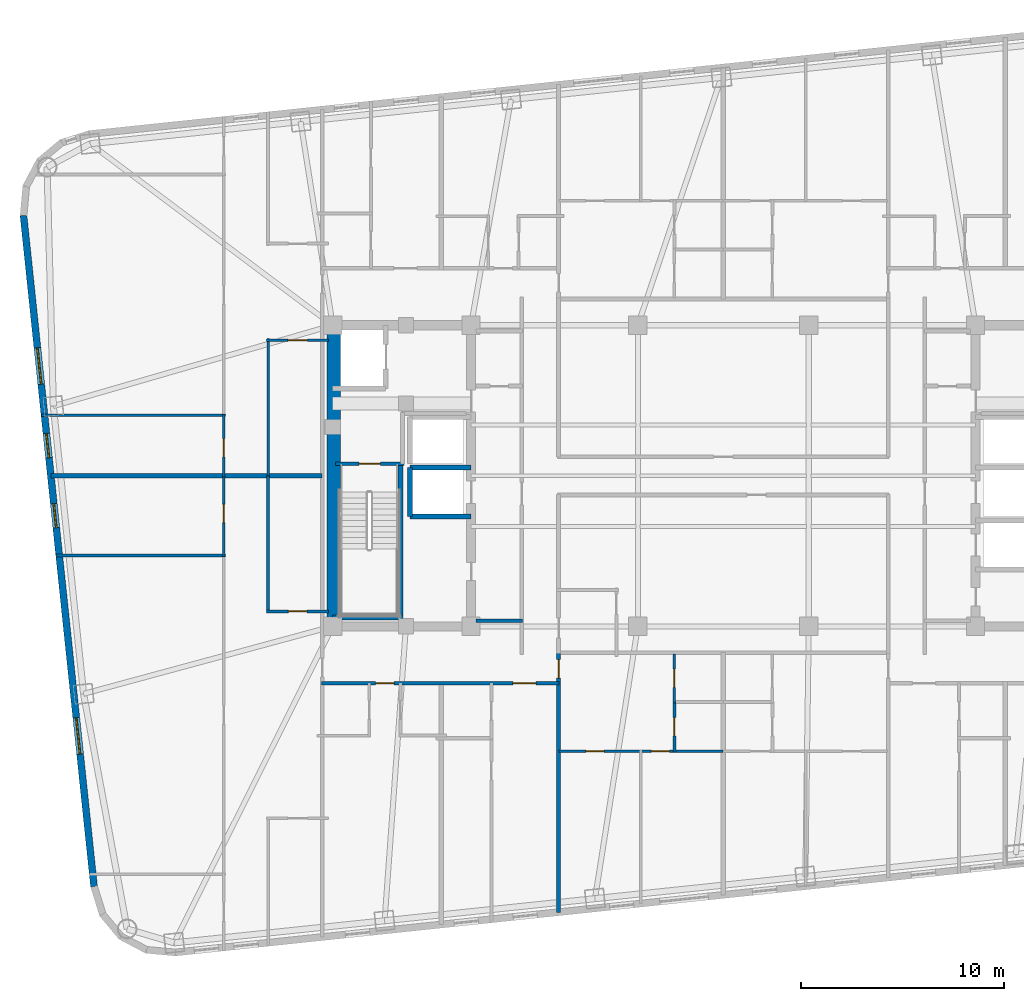
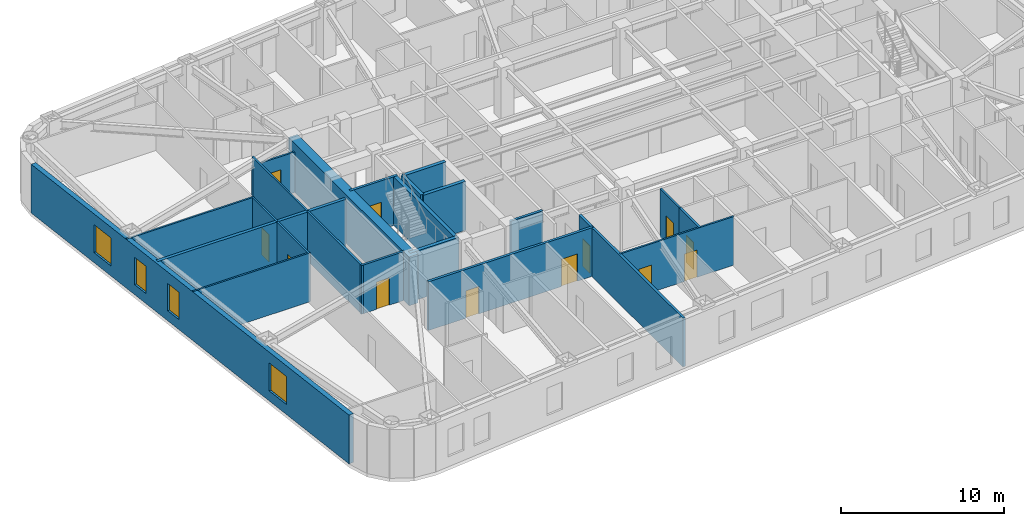
# One storey, part 3 of 12: 23 walls, 12 doors, 4 windows, 16 openings.
"""IFC4 building model written with IfcOpenShell, lengths in metres."""

from ifc_helpers import new_model, si_unit, direction, frame, frame_2d, origin, place, context, subcontext, project, spatial, rectangle, extrude, material, layer, layer_set, type_object, element, fill, save


model = new_model("IFC4")

# Units and contexts
model_context = context("Model", 3, precision=1e-05, world=origin(), true_north=direction((0.0, 1.0)))
body_context = subcontext(model_context, "Body", "Model", "MODEL_VIEW")
ifc_project = project(units=[si_unit("LENGTHUNIT", "METRE"), si_unit("AREAUNIT", "SQUARE_METRE"), si_unit("VOLUMEUNIT", "CUBIC_METRE"), si_unit("PLANEANGLEUNIT", "RADIAN"), si_unit("MASSUNIT", "GRAM", prefix="KILO")], contexts=[model_context])

# Site, building, storey
site_placement = place(None, origin())
site = spatial("IfcSite", under=ifc_project, at=site_placement, CompositionType="ELEMENT")
building_placement = place(site_placement, origin())
building = spatial("IfcBuilding", under=site, at=building_placement, Name="Voryun Gate Residences", CompositionType="ELEMENT")
storey_placement = place(building_placement, frame((0.0, 0.0, 187.199951171875)))
storey = spatial("IfcBuildingStorey", under=building, at=storey_placement, Name="L46", CompositionType="ELEMENT", Elevation=187.199951171875)

# Wall
ifc_material_1 = material(Name="Concrete C60/75", Category="concrete")
ifc_layer_1 = layer(ifc_material_1, 0.64990234375, Name="CW_CORE_650")
ifc_layer_set_1 = layer_set([ifc_layer_1], Name="Concrete C60/75")
wall_type_1 = type_object("IfcWallType", Name="CW_CORE_650", PredefinedType="SHEAR", material=ifc_layer_set_1)
wall_1_placement = place(storey_placement, frame((-19.14501953125, -7.39990234375, 0.0), z_axis=(0.0, 0.0, 1.0), x_axis=(0.0, 1.0, 0.0)))
element("IfcWall", 1, at=wall_1_placement, inside=storey, type_object=wall_type_1, Name="L46 Core shear wall CW-L46-WW", PredefinedType="SHEAR", context=body_context, shape_type="SweptSolid", body=[
    extrude(rectangle(XDim=14.7998046875, YDim=0.64990234375, at=frame_2d((7.39990234375, 0.0))), origin(), (0.0, 0.0, 1.0), 3.650146484375),
])

# Wall, opening, door
ifc_material_2 = material(Name="Gypsum acoustic fireboard")
ifc_layer_2 = layer(ifc_material_2, 0.179931640625, Name="W_CORR_RATED_180")
ifc_layer_set_2 = layer_set([ifc_layer_2], Name="Gypsum acoustic fireboard")
wall_type_2 = type_object("IfcWallType", Name="W_CORR_RATED_180", PredefinedType="PARTITIONING", material=ifc_layer_set_2)
wall_2_placement = place(storey_placement, frame((-19.06005859375, 0.60009765625, 0.0), z_axis=(0.0, 0.0, 1.0), x_axis=(1.0, 0.0, 0.0)))
wall_2 = element("IfcWall", 2, at=wall_2_placement, inside=storey, type_object=wall_type_2, Name="Partition wall WP-L46-STV-W", PredefinedType="PARTITIONING", context=body_context, shape_type="SweptSolid", body=[
    extrude(rectangle(XDim=3.360107421875, YDim=0.179931640625, at=frame_2d((1.68017578125, 0.0))), origin(), (0.0, 0.0, 1.0), 3.650146484375),
])
opening_1_placement = place(wall_2_placement, frame((1.155029296875, 0.0, 0.0)))
opening_1 = element("IfcOpeningElement", 3, at=opening_1_placement, cuts=wall_2, Name="Opening D-FD60-1", PredefinedType="OPENING", context=body_context, shape_type="SweptSolid", body=[
    extrude(rectangle(XDim=1.050048828125, YDim=2.050048828125, at=frame_2d((0.52490234375, 1.02490234375))), frame((0.0, 0.099853515625, 0.0), z_axis=(0.0, -1.0, 0.0), x_axis=(1.0, 0.0, 0.0)), (0.0, 0.0, 1.0), 0.199951171875),
])
ifc_material_3 = material(Name="Painted steel fire door", Category="steel")
door_type_1 = type_object("IfcDoorType", Name="DR_FD60_STAIR_1050", OperationType="NOTDEFINED", PredefinedType="DOOR", material=ifc_material_3)
door_1_placement = place(opening_1_placement, origin())
door_1 = element("IfcDoor", 4, at=door_1_placement, inside=storey, type_object=door_type_1, Name="Door DR-L46-ST-W", OperationType="SINGLE_SWING_LEFT", OverallHeight=2.050048828125, OverallWidth=1.050048828125, PredefinedType="DOOR", context=body_context, shape_type="SweptSolid", body=[
    extrude(rectangle(XDim=1.050048828125, YDim=2.050048828125, at=frame_2d((0.52490234375, 1.02490234375))), frame((0.0, 0.02490234375, 0.0), z_axis=(0.0, -1.0, 0.0), x_axis=(1.0, 0.0, 0.0)), (0.0, 0.0, 1.0), 0.050048828125),
])
fill(opening_1, door_1)

# Wall
wall_3_placement = place(storey_placement, frame((-12.14990234375, -7.1201171875, 0.0), z_axis=(0.0, 0.0, 1.0), x_axis=(1.0, 0.0, 0.0)))
element("IfcWall", 5, at=wall_3_placement, inside=storey, type_object=wall_type_2, Name="Partition wall WP-L46-PLBS-W", PredefinedType="PARTITIONING", context=body_context, shape_type="SweptSolid", body=[
    extrude(rectangle(XDim=2.27001953125, YDim=0.179931640625, at=frame_2d((1.135009765625, 0.0))), origin(), (0.0, 0.0, 1.0), 3.650146484375),
])

# Wall, openings, doors
wall_4_placement = place(storey_placement, frame((-19.75, -10.199951171875, 0.0), z_axis=(0.0, 0.0, 1.0), x_axis=(1.0, 0.0, 0.0)))
wall_4 = element("IfcWall", 6, at=wall_4_placement, inside=storey, type_object=wall_type_2, Name="Partition wall WP-L46-SCORR-W", PredefinedType="PARTITIONING", context=body_context, shape_type="SweptSolid", body=[
    extrude(rectangle(XDim=11.669921875, YDim=0.179931640625, at=frame_2d((5.8349609375, 0.0))), origin(), (0.0, 0.0, 1.0), 3.650146484375),
])
opening_2_placement = place(wall_4_placement, frame((2.66357421875, 0.0, 0.0)))
opening_2 = element("IfcOpeningElement", 7, at=opening_2_placement, cuts=wall_4, Name="Opening D-INT-2", PredefinedType="OPENING", context=body_context, shape_type="SweptSolid", body=[
    extrude(rectangle(XDim=0.89990234375, YDim=2.050048828125, at=frame_2d((0.449951171875, 1.02490234375))), frame((0.0, 0.099853515625, 0.0), z_axis=(0.0, -1.0, 0.0), x_axis=(1.0, 0.0, 0.0)), (0.0, 0.0, 1.0), 0.199951171875),
])
opening_3_placement = place(wall_4_placement, frame((9.404052734375, 0.0, 0.0)))
opening_3 = element("IfcOpeningElement", 8, at=opening_3_placement, cuts=wall_4, Name="Opening D-UNIT-1", PredefinedType="OPENING", context=body_context, shape_type="SweptSolid", body=[
    extrude(rectangle(XDim=1.14990234375, YDim=2.050048828125, at=frame_2d((0.574951171875, 1.02490234375))), frame((0.0, 0.099853515625, 0.0), z_axis=(0.0, -1.0, 0.0), x_axis=(1.0, 0.0, 0.0)), (0.0, 0.0, 1.0), 0.199951171875),
])
ifc_material_4 = material(Name="Architectural oak veneer")
door_type_2 = type_object("IfcDoorType", Name="DR_INT_BATH_900", OperationType="NOTDEFINED", PredefinedType="DOOR", material=ifc_material_4)
door_2_placement = place(opening_2_placement, origin())
door_2 = element("IfcDoor", 9, at=door_2_placement, inside=storey, type_object=door_type_2, Name="Door DR-L46-SENT-1", OperationType="SINGLE_SWING_RIGHT", OverallHeight=2.050048828125, OverallWidth=0.89990234375, PredefinedType="DOOR", context=body_context, shape_type="SweptSolid", body=[
    extrude(rectangle(XDim=0.89990234375, YDim=2.050048828125, at=frame_2d((0.449951171875, 1.02490234375))), frame((0.0, 0.02490234375, 0.0), z_axis=(0.0, -1.0, 0.0), x_axis=(1.0, 0.0, 0.0)), (0.0, 0.0, 1.0), 0.050048828125),
])
fill(opening_2, door_2)
ifc_material_5 = material(Name="Armoured timber-clad fire door", Category="wood")
door_type_3 = type_object("IfcDoorType", Name="DR_UNIT_ENTRY_1150", OperationType="NOTDEFINED", PredefinedType="DOOR", material=ifc_material_5)
door_3_placement = place(opening_3_placement, origin())
door_3 = element("IfcDoor", 10, at=door_3_placement, inside=storey, type_object=door_type_3, Name="Door DR-L46-SENT-2", OperationType="SINGLE_SWING_LEFT", OverallHeight=2.050048828125, OverallWidth=1.14990234375, PredefinedType="DOOR", context=body_context, shape_type="SweptSolid", body=[
    extrude(rectangle(XDim=1.14990234375, YDim=2.050048828125, at=frame_2d((0.574951171875, 1.02490234375))), frame((0.0, 0.02490234375, 0.0), z_axis=(0.0, -1.0, 0.0), x_axis=(1.0, 0.0, 0.0)), (0.0, 0.0, 1.0), 0.050048828125),
])
fill(opening_3, door_3)

# Wall, opening, door
wall_5_placement = place(storey_placement, frame((-8.10009765625, -21.456298828125, 0.0), z_axis=(0.0, 0.0, 1.0), x_axis=(0.0, 1.0, 0.0)))
wall_5 = element("IfcWall", 11, at=wall_5_placement, inside=storey, type_object=wall_type_2, Name="Partition wall WP-L46-SZV-1", PredefinedType="PARTITIONING", context=body_context, shape_type="SweptSolid", body=[
    extrude(rectangle(XDim=12.766357421875, YDim=0.179931640625, at=frame_2d((6.38330078125, 0.0))), origin(), (0.0, 0.0, 1.0), 3.650146484375),
])
opening_4_placement = place(wall_5_placement, frame((11.515869140625, 0.0, 0.0)))
opening_4 = element("IfcOpeningElement", 12, at=opening_4_placement, cuts=wall_5, Name="Opening D-INT-2", PredefinedType="OPENING", context=body_context, shape_type="SweptSolid", body=[
    extrude(rectangle(XDim=0.89990234375, YDim=2.050048828125, at=frame_2d((0.449951171875, 1.02490234375))), frame((0.0, 0.099853515625, 0.0), z_axis=(0.0, -1.0, 0.0), x_axis=(1.0, 0.0, 0.0)), (0.0, 0.0, 1.0), 0.199951171875),
])
door_4_placement = place(opening_4_placement, origin())
door_4 = element("IfcDoor", 13, at=door_4_placement, inside=storey, type_object=door_type_2, Name="Door DR-L46-SZENT-1", OperationType="SINGLE_SWING_LEFT", OverallHeight=2.050048828125, OverallWidth=0.89990234375, PredefinedType="DOOR", context=body_context, shape_type="SweptSolid", body=[
    extrude(rectangle(XDim=0.89990234375, YDim=2.050048828125, at=frame_2d((0.449951171875, 1.02490234375))), frame((0.0, 0.02490234375, 0.0), z_axis=(0.0, -1.0, 0.0), x_axis=(1.0, 0.0, 0.0)), (0.0, 0.0, 1.0), 0.050048828125),
])
fill(opening_4, door_4)

# Wall, openings, windows
ifc_material_6 = material(Name="Charcoal terracotta masonry", Category="masonry")
ifc_layer_3 = layer(ifc_material_6, 0.340087890625, Name="W_EXT_TERRACOTTA_340")
ifc_layer_set_3 = layer_set([ifc_layer_3], Name="Charcoal terracotta masonry")
wall_type_3 = type_object("IfcWallType", Name="W_EXT_TERRACOTTA_340", PredefinedType="ELEMENTEDWALL", material=ifc_layer_set_3)
wall_6_placement = place(storey_placement, frame((-30.934326171875, -20.189697265625, 0.0), z_axis=(0.0, 0.0, 1.0), x_axis=(-0.10452691388, 0.994522058214, 0.0)))
wall_6 = element("IfcWall", 14, at=wall_6_placement, inside=storey, type_object=wall_type_3, Name="Exterior wall WEXT-L46-06", PredefinedType="ELEMENTEDWALL", context=body_context, shape_type="SweptSolid", body=[
    extrude(rectangle(XDim=33.16650390625, YDim=0.340087890625, at=frame_2d((16.583251953125, 0.0))), origin(), (0.0, 0.0, 1.0), 3.650146484375),
])
opening_5_placement = place(wall_6_placement, frame((6.54150390625, 0.0, 0.75)))
opening_5 = element("IfcOpeningElement", 15, at=opening_5_placement, cuts=wall_6, Name="Opening WN1", PredefinedType="OPENING", context=body_context, shape_type="SweptSolid", body=[
    extrude(rectangle(XDim=1.800048828125, YDim=2.10009765625, at=frame_2d((0.89990234375, 1.050048828125))), frame((0.0, 0.179931640625, 0.0), z_axis=(0.0, -1.0, 0.0), x_axis=(1.0, 0.0, 0.0)), (0.0, 0.0, 1.0), 0.360107421875),
])
opening_6_placement = place(wall_6_placement, frame((24.824951171875, 0.0, 0.75)))
opening_6 = element("IfcOpeningElement", 16, at=opening_6_placement, cuts=wall_6, Name="Opening WN1", PredefinedType="OPENING", context=body_context, shape_type="SweptSolid", body=[
    extrude(rectangle(XDim=1.800048828125, YDim=2.10009765625, at=frame_2d((0.89990234375, 1.050048828125))), frame((0.0, 0.179931640625, 0.0), z_axis=(0.0, -1.0, 0.0), x_axis=(1.0, 0.0, 0.0)), (0.0, 0.0, 1.0), 0.360107421875),
])
opening_7_placement = place(wall_6_placement, frame((17.728759765625, 0.0, 0.75)))
opening_7 = element("IfcOpeningElement", 17, at=opening_7_placement, cuts=wall_6, Name="Opening WN6", PredefinedType="OPENING", context=body_context, shape_type="SweptSolid", body=[
    extrude(rectangle(XDim=1.199951171875, YDim=2.050048828125, at=frame_2d((0.60009765625, 1.02490234375))), frame((0.0, 0.179931640625, 0.0), z_axis=(0.0, -1.0, 0.0), x_axis=(1.0, 0.0, 0.0)), (0.0, 0.0, 1.0), 0.360107421875),
])
opening_8_placement = place(wall_6_placement, frame((21.194091796875, 0.0, 0.75)))
opening_8 = element("IfcOpeningElement", 18, at=opening_8_placement, cuts=wall_6, Name="Opening WN6", PredefinedType="OPENING", context=body_context, shape_type="SweptSolid", body=[
    extrude(rectangle(XDim=1.199951171875, YDim=2.050048828125, at=frame_2d((0.60009765625, 1.02490234375))), frame((0.0, 0.179931640625, 0.0), z_axis=(0.0, -1.0, 0.0), x_axis=(1.0, 0.0, 0.0)), (0.0, 0.0, 1.0), 0.360107421875),
])
ifc_material_7 = material(Name="Laminated low-E glass", Category="glass")
window_type_1 = type_object("IfcWindowType", Name="WN_POD_SLOT_1200", PartitioningType="SINGLE_PANEL", PredefinedType="WINDOW", material=ifc_material_7)
window_1_placement = place(opening_7_placement, origin())
window_1 = element("IfcWindow", 19, at=window_1_placement, inside=storey, type_object=window_type_1, Name="Window WN-L46-DWFIX-21", OverallHeight=2.050048828125, OverallWidth=1.199951171875, PartitioningType="SINGLE_PANEL", PredefinedType="WINDOW", context=body_context, shape_type="SweptSolid", body=[
    extrude(rectangle(XDim=1.199951171875, YDim=2.050048828125, at=frame_2d((0.60009765625, 1.02490234375))), frame((0.0, 0.030029296875, 0.0), z_axis=(0.0, -1.0, 0.0), x_axis=(1.0, 0.0, 0.0)), (0.0, 0.0, 1.0), 0.06005859375),
])
fill(opening_7, window_1)
window_2_placement = place(opening_8_placement, origin())
window_2 = element("IfcWindow", 20, at=window_2_placement, inside=storey, type_object=window_type_1, Name="Window WN-L46-DWFIX-25", OverallHeight=2.050048828125, OverallWidth=1.199951171875, PartitioningType="SINGLE_PANEL", PredefinedType="WINDOW", context=body_context, shape_type="SweptSolid", body=[
    extrude(rectangle(XDim=1.199951171875, YDim=2.050048828125, at=frame_2d((0.60009765625, 1.02490234375))), frame((0.0, 0.030029296875, 0.0), z_axis=(0.0, -1.0, 0.0), x_axis=(1.0, 0.0, 0.0)), (0.0, 0.0, 1.0), 0.06005859375),
])
fill(opening_8, window_2)
ifc_material_8 = material(Name="Laminated low-E glass", Category="glass")
window_type_2 = type_object("IfcWindowType", Name="WN_RES_PUNCH_1800", PartitioningType="SINGLE_PANEL", PredefinedType="WINDOW", material=ifc_material_8)
window_3_placement = place(opening_5_placement, origin())
window_3 = element("IfcWindow", 21, at=window_3_placement, inside=storey, type_object=window_type_2, Name="Window WN-WEXT-L46-06-01", OverallHeight=2.10009765625, OverallWidth=1.800048828125, PartitioningType="SINGLE_PANEL", PredefinedType="WINDOW", context=body_context, shape_type="SweptSolid", body=[
    extrude(rectangle(XDim=1.800048828125, YDim=2.10009765625, at=frame_2d((0.89990234375, 1.050048828125))), frame((0.0, 0.030029296875, 0.0), z_axis=(0.0, -1.0, 0.0), x_axis=(1.0, 0.0, 0.0)), (0.0, 0.0, 1.0), 0.06005859375),
])
fill(opening_5, window_3)
window_4_placement = place(opening_6_placement, origin())
window_4 = element("IfcWindow", 22, at=window_4_placement, inside=storey, type_object=window_type_2, Name="Window WN-WEXT-L46-06-02", OverallHeight=2.10009765625, OverallWidth=1.800048828125, PartitioningType="SINGLE_PANEL", PredefinedType="WINDOW", context=body_context, shape_type="SweptSolid", body=[
    extrude(rectangle(XDim=1.800048828125, YDim=2.10009765625, at=frame_2d((0.89990234375, 1.050048828125))), frame((0.0, 0.030029296875, 0.0), z_axis=(0.0, -1.0, 0.0), x_axis=(1.0, 0.0, 0.0)), (0.0, 0.0, 1.0), 0.06005859375),
])
fill(opening_6, window_4)

# Walls
ifc_material_9 = material(Name="Concrete C40/50", Category="concrete")
ifc_layer_4 = layer(ifc_material_9, 0.219970703125, Name="W_PARTY_ACOUSTIC_220")
ifc_layer_set_4 = layer_set([ifc_layer_4], Name="Concrete C40/50")
wall_type_4 = type_object("IfcWallType", Name="W_PARTY_ACOUSTIC_220", PredefinedType="PARTITIONING", material=ifc_layer_set_4)
wall_7_placement = place(storey_placement, frame((-19.719970703125, 0.0, 0.0), z_axis=(0.0, 0.0, 1.0), x_axis=(-1.0, 0.0, 0.0)))
element("IfcWall", 23, at=wall_7_placement, inside=storey, type_object=wall_type_4, Name="Partition wall WP-L46-WPTY", PredefinedType="PARTITIONING", context=body_context, shape_type="SweptSolid", body=[
    extrude(rectangle(XDim=13.33642578125, YDim=0.219970703125, at=frame_2d((6.668212890625, 0.0))), origin(), (0.0, 0.0, 1.0), 3.650146484375),
])
ifc_material_10 = material(Name="Concrete C50/60", Category="concrete")
ifc_layer_5 = layer(ifc_material_10, 0.25, Name="W_SHAFT_RC250")
ifc_layer_set_5 = layer_set([ifc_layer_5], Name="Concrete C50/60")
wall_type_5 = type_object("IfcWallType", Name="W_SHAFT_RC250", PredefinedType="SOLIDWALL", material=ifc_layer_set_5)
wall_8_placement = place(storey_placement, frame((-15.860107421875, -7.0849609375, 0.0), z_axis=(0.0, 0.0, 1.0), x_axis=(0.0, 1.0, 0.0)))
element("IfcWall", 24, at=wall_8_placement, inside=storey, type_object=wall_type_5, Name="L46 Stair shaft structural wall W-STR", PredefinedType="SOLIDWALL", context=body_context, shape_type="SweptSolid", body=[
    extrude(rectangle(XDim=7.68505859375, YDim=0.25, at=frame_2d((3.842529296875, 0.0))), origin(), (0.0, 0.0, 1.0), 3.650146484375),
])
wall_9_placement = place(storey_placement, frame((-19.199951171875, -6.965087890625, 0.0), z_axis=(0.0, 0.0, 1.0), x_axis=(1.0, 0.0, 0.0)))
element("IfcWall", 25, at=wall_9_placement, inside=storey, type_object=wall_type_5, Name="L46 Stair shaft structural wall W-STS", PredefinedType="SOLIDWALL", context=body_context, shape_type="SweptSolid", body=[
    extrude(rectangle(XDim=3.4599609375, YDim=0.25, at=frame_2d((1.72998046875, 0.0))), origin(), (0.0, 0.0, 1.0), 3.650146484375),
])
for number, where, z_axis, x_axis, name in (
    (26, (-15.39990234375, -2.0, 0.0), (0.0, 0.0, 1.0), (1.0, 0.0, 0.0), "Lift shaft wall WSH-L46-EL-P4-S"),
    (27, (-12.39990234375, 0.39990234375, 0.0), (0.0, 0.0, 1.0), (-1.0, 0.0, 0.0), "Lift shaft wall WSH-L46-EL-P4-N"),
):
    element("IfcWall", number, at=place(storey_placement, frame(where, z_axis=z_axis, x_axis=x_axis)), inside=storey, type_object=wall_type_5, Name=name, PredefinedType="SOLIDWALL", context=body_context, shape_type="SweptSolid", body=[
        extrude(rectangle(XDim=3.0, YDim=0.25, at=frame_2d((1.5, 0.0))), origin(), (0.0, 0.0, 1.0), 3.650146484375),
    ])
wall_10_placement = place(storey_placement, frame((-15.39990234375, 0.39990234375, 0.0), z_axis=(0.0, 0.0, 1.0), x_axis=(0.0, -1.0, 0.0)))
element("IfcWall", 28, at=wall_10_placement, inside=storey, type_object=wall_type_5, Name="Lift shaft wall WSH-L46-EL-P4-W", PredefinedType="SOLIDWALL", context=body_context, shape_type="SweptSolid", body=[
    extrude(rectangle(XDim=2.39990234375, YDim=0.25, at=frame_2d((1.199951171875, 0.0))), origin(), (0.0, 0.0, 1.0), 3.650146484375),
])

# Wall, openings, doors
ifc_material_11 = material(Name="Gypsum acoustic partition")
ifc_layer_6 = layer(ifc_material_11, 0.125, Name="W_UNIT_PART_125")
ifc_layer_set_6 = layer_set([ifc_layer_6], Name="Gypsum acoustic partition")
wall_type_6 = type_object("IfcWallType", Name="W_UNIT_PART_125", PredefinedType="PARTITIONING", material=ifc_layer_set_6)
wall_11_placement = place(storey_placement, frame((-8.080078125, -13.530029296875, 0.0), z_axis=(0.0, 0.0, 1.0), x_axis=(1.0, 0.0, 0.0)))
wall_11 = element("IfcWall", 29, at=wall_11_placement, inside=storey, type_object=wall_type_6, Name="Partition wall WP-L46-SC1-HZ", PredefinedType="PARTITIONING", context=body_context, shape_type="SweptSolid", body=[
    extrude(rectangle(XDim=8.06005859375, YDim=0.125, at=frame_2d((4.030029296875, 0.0))), origin(), (0.0, 0.0, 1.0), 3.650146484375),
])
opening_9_placement = place(wall_11_placement, frame((1.3232421875, 0.0, 0.0)))
opening_9 = element("IfcOpeningElement", 30, at=opening_9_placement, cuts=wall_11, Name="Opening D-INT-2", PredefinedType="OPENING", context=body_context, shape_type="SweptSolid", body=[
    extrude(rectangle(XDim=0.89990234375, YDim=2.050048828125, at=frame_2d((0.449951171875, 1.02490234375))), frame((0.0, 0.072509765625, 0.0), z_axis=(0.0, -1.0, 0.0), x_axis=(1.0, 0.0, 0.0)), (0.0, 0.0, 1.0), 0.14501953125),
])
opening_10_placement = place(wall_11_placement, frame((4.547119140625, 0.0, 0.0)))
opening_10 = element("IfcOpeningElement", 31, at=opening_10_placement, cuts=wall_11, Name="Opening D-INT-2", PredefinedType="OPENING", context=body_context, shape_type="SweptSolid", body=[
    extrude(rectangle(XDim=0.89990234375, YDim=2.050048828125, at=frame_2d((0.449951171875, 1.02490234375))), frame((0.0, 0.072509765625, 0.0), z_axis=(0.0, -1.0, 0.0), x_axis=(1.0, 0.0, 0.0)), (0.0, 0.0, 1.0), 0.14501953125),
])
door_5_placement = place(opening_9_placement, origin())
door_5 = element("IfcDoor", 32, at=door_5_placement, inside=storey, type_object=door_type_2, Name="Door DR-L46-SC1-DMB", OperationType="SINGLE_SWING_LEFT", OverallHeight=2.050048828125, OverallWidth=0.89990234375, PredefinedType="DOOR", context=body_context, shape_type="SweptSolid", body=[
    extrude(rectangle(XDim=0.89990234375, YDim=2.050048828125, at=frame_2d((0.449951171875, 1.02490234375))), frame((0.0, 0.02490234375, 0.0), z_axis=(0.0, -1.0, 0.0), x_axis=(1.0, 0.0, 0.0)), (0.0, 0.0, 1.0), 0.050048828125),
])
fill(opening_9, door_5)
door_6_placement = place(opening_10_placement, origin())
door_6 = element("IfcDoor", 33, at=door_6_placement, inside=storey, type_object=door_type_2, Name="Door DR-L46-SC1-DBD2", OperationType="SINGLE_SWING_RIGHT", OverallHeight=2.050048828125, OverallWidth=0.89990234375, PredefinedType="DOOR", context=body_context, shape_type="SweptSolid", body=[
    extrude(rectangle(XDim=0.89990234375, YDim=2.050048828125, at=frame_2d((0.449951171875, 1.02490234375))), frame((0.0, 0.02490234375, 0.0), z_axis=(0.0, -1.0, 0.0), x_axis=(1.0, 0.0, 0.0)), (0.0, 0.0, 1.0), 0.050048828125),
])
fill(opening_10, door_6)

# Wall, opening, door
wall_12_placement = place(storey_placement, frame((-2.409912109375, -11.159912109375, 0.0), z_axis=(0.0, 0.0, 1.0), x_axis=(0.0, 1.0, 0.0)))
wall_12 = element("IfcWall", 34, at=wall_12_placement, inside=storey, type_object=wall_type_6, Name="Partition wall WP-L46-SC1-VK1", PredefinedType="PARTITIONING", context=body_context, shape_type="SweptSolid", body=[
    extrude(rectangle(XDim=2.409912109375, YDim=0.125, at=frame_2d((1.205078125, 0.0))), origin(), (0.0, 0.0, 1.0), 3.650146484375),
])
opening_11_placement = place(wall_12_placement, frame((0.7548828125, 0.0, 0.0)))
opening_11 = element("IfcOpeningElement", 35, at=opening_11_placement, cuts=wall_12, Name="Opening D-INT-2", PredefinedType="OPENING", context=body_context, shape_type="SweptSolid", body=[
    extrude(rectangle(XDim=0.89990234375, YDim=2.050048828125, at=frame_2d((0.449951171875, 1.02490234375))), frame((0.0, 0.072509765625, 0.0), z_axis=(0.0, -1.0, 0.0), x_axis=(1.0, 0.0, 0.0)), (0.0, 0.0, 1.0), 0.14501953125),
])
door_7_placement = place(opening_11_placement, origin())
door_7 = element("IfcDoor", 36, at=door_7_placement, inside=storey, type_object=door_type_2, Name="Door DR-L46-SC1-DK", OperationType="SINGLE_SWING_LEFT", OverallHeight=2.050048828125, OverallWidth=0.89990234375, PredefinedType="DOOR", context=body_context, shape_type="SweptSolid", body=[
    extrude(rectangle(XDim=0.89990234375, YDim=2.050048828125, at=frame_2d((0.449951171875, 1.02490234375))), frame((0.0, 0.02490234375, 0.0), z_axis=(0.0, -1.0, 0.0), x_axis=(1.0, 0.0, 0.0)), (0.0, 0.0, 1.0), 0.050048828125),
])
fill(opening_11, door_7)

# Wall
wall_13_placement = place(storey_placement, frame((-32.79541015625, -3.91796875, 0.0), z_axis=(0.0, 0.0, 1.0), x_axis=(1.0, 0.0, 0.0)))
element("IfcWall", 37, at=wall_13_placement, inside=storey, type_object=wall_type_6, Name="Partition wall WP-L46-W1-OH2", PredefinedType="PARTITIONING", context=body_context, shape_type="SweptSolid", body=[
    extrude(rectangle(XDim=8.325439453125, YDim=0.125, at=frame_2d((4.16259765625, 0.0))), origin(), (0.0, 0.0, 1.0), 3.650146484375),
])

# Wall, opening, door
wall_14_placement = place(storey_placement, frame((-24.550048828125, -3.968017578125, 0.0), z_axis=(0.0, 0.0, 1.0), x_axis=(0.0, 1.0, 0.0)))
wall_14 = element("IfcWall", 38, at=wall_14_placement, inside=storey, type_object=wall_type_6, Name="Partition wall WP-L46-W1-OVX3", PredefinedType="PARTITIONING", context=body_context, shape_type="SweptSolid", body=[
    extrude(rectangle(XDim=4.030517578125, YDim=0.125, at=frame_2d((2.01513671875, 0.0))), origin(), (0.0, 0.0, 1.0), 3.650146484375),
])
opening_12_placement = place(wall_14_placement, frame((1.6640625, 0.0, 0.0)))
opening_12 = element("IfcOpeningElement", 39, at=opening_12_placement, cuts=wall_14, Name="Opening D-INT-2", PredefinedType="OPENING", context=body_context, shape_type="SweptSolid", body=[
    extrude(rectangle(XDim=0.89990234375, YDim=2.050048828125, at=frame_2d((0.449951171875, 1.02490234375))), frame((0.0, 0.072509765625, 0.0), z_axis=(0.0, -1.0, 0.0), x_axis=(1.0, 0.0, 0.0)), (0.0, 0.0, 1.0), 0.14501953125),
])
door_8_placement = place(opening_12_placement, origin())
door_8 = element("IfcDoor", 40, at=door_8_placement, inside=storey, type_object=door_type_2, Name="Door DR-L46-W1-DMB", OperationType="SINGLE_SWING_LEFT", OverallHeight=2.050048828125, OverallWidth=0.89990234375, PredefinedType="DOOR", context=body_context, shape_type="SweptSolid", body=[
    extrude(rectangle(XDim=0.89990234375, YDim=2.050048828125, at=frame_2d((0.449951171875, 1.02490234375))), frame((0.0, 0.02490234375, 0.0), z_axis=(0.0, -1.0, 0.0), x_axis=(1.0, 0.0, 0.0)), (0.0, 0.0, 1.0), 0.050048828125),
])
fill(opening_12, door_8)

# Wall
wall_15_placement = place(storey_placement, frame((-33.519775390625, 2.97509765625, 0.0), z_axis=(0.0, 0.0, 1.0), x_axis=(1.0, 0.0, 0.0)))
element("IfcWall", 41, at=wall_15_placement, inside=storey, type_object=wall_type_6, Name="Partition wall WP-L46-W2-OH1", PredefinedType="PARTITIONING", context=body_context, shape_type="SweptSolid", body=[
    extrude(rectangle(XDim=9.0498046875, YDim=0.125, at=frame_2d((4.52490234375, 0.0))), origin(), (0.0, 0.0, 1.0), 3.650146484375),
])

# Wall, opening, door
wall_16_placement = place(storey_placement, frame((-24.550048828125, -0.0625, 0.0), z_axis=(0.0, 0.0, 1.0), x_axis=(0.0, 1.0, 0.0)))
wall_16 = element("IfcWall", 42, at=wall_16_placement, inside=storey, type_object=wall_type_6, Name="Partition wall WP-L46-W2-OVX1", PredefinedType="PARTITIONING", context=body_context, shape_type="SweptSolid", body=[
    extrude(rectangle(XDim=3.08740234375, YDim=0.125, at=frame_2d((1.543701171875, 0.0))), origin(), (0.0, 0.0, 1.0), 3.650146484375),
])
opening_13_placement = place(wall_16_placement, frame((0.9951171875, 0.0, 0.0)))
opening_13 = element("IfcOpeningElement", 43, at=opening_13_placement, cuts=wall_16, Name="Opening D-INT-2", PredefinedType="OPENING", context=body_context, shape_type="SweptSolid", body=[
    extrude(rectangle(XDim=0.89990234375, YDim=2.050048828125, at=frame_2d((0.449951171875, 1.02490234375))), frame((0.0, 0.072509765625, 0.0), z_axis=(0.0, -1.0, 0.0), x_axis=(1.0, 0.0, 0.0)), (0.0, 0.0, 1.0), 0.14501953125),
])
door_9_placement = place(opening_13_placement, origin())
door_9 = element("IfcDoor", 44, at=door_9_placement, inside=storey, type_object=door_type_2, Name="Door DR-L46-W2-DBD2", OperationType="SINGLE_SWING_LEFT", OverallHeight=2.050048828125, OverallWidth=0.89990234375, PredefinedType="DOOR", context=body_context, shape_type="SweptSolid", body=[
    extrude(rectangle(XDim=0.89990234375, YDim=2.050048828125, at=frame_2d((0.449951171875, 1.02490234375))), frame((0.0, 0.02490234375, 0.0), z_axis=(0.0, -1.0, 0.0), x_axis=(1.0, 0.0, 0.0)), (0.0, 0.0, 1.0), 0.050048828125),
])
fill(opening_13, door_9)

wall_17_placement = place(storey_placement, frame((-22.449951171875, 6.659912109375, 0.0), z_axis=(0.0, 0.0, 1.0), x_axis=(1.0, 0.0, 0.0)))
wall_17 = element("IfcWall", 45, at=wall_17_placement, inside=storey, type_object=wall_type_6, Name="Partition wall WP-L46-W2-IKA", PredefinedType="PARTITIONING", context=body_context, shape_type="SweptSolid", body=[
    extrude(rectangle(XDim=3.050048828125, YDim=0.125, at=frame_2d((1.52490234375, 0.0))), origin(), (0.0, 0.0, 1.0), 3.0400390625),
])
opening_14_placement = place(wall_17_placement, frame((1.050048828125, 0.0, 0.0)))
opening_14 = element("IfcOpeningElement", 46, at=opening_14_placement, cuts=wall_17, Name="Opening D-INT-1", PredefinedType="OPENING", context=body_context, shape_type="SweptSolid", body=[
    extrude(rectangle(XDim=0.949951171875, YDim=2.050048828125, at=frame_2d((0.47509765625, 1.02490234375))), frame((0.0, 0.072509765625, 0.0), z_axis=(0.0, -1.0, 0.0), x_axis=(1.0, 0.0, 0.0)), (0.0, 0.0, 1.0), 0.14501953125),
])
ifc_material_12 = material(Name="Architectural oak veneer")
door_type_4 = type_object("IfcDoorType", Name="DR_INT_ROOM_950", OperationType="NOTDEFINED", PredefinedType="DOOR", material=ifc_material_12)
door_10_placement = place(opening_14_placement, origin())
door_10 = element("IfcDoor", 47, at=door_10_placement, inside=storey, type_object=door_type_4, Name="Door DR-L46-W2-DK", OperationType="SINGLE_SWING_LEFT", OverallHeight=2.050048828125, OverallWidth=0.949951171875, PredefinedType="DOOR", context=body_context, shape_type="SweptSolid", body=[
    extrude(rectangle(XDim=0.949951171875, YDim=2.050048828125, at=frame_2d((0.47509765625, 1.02490234375))), frame((0.0, 0.02490234375, 0.0), z_axis=(0.0, -1.0, 0.0), x_axis=(1.0, 0.0, 0.0)), (0.0, 0.0, 1.0), 0.050048828125),
])
fill(opening_14, door_10)

# Wall
wall_18_placement = place(storey_placement, frame((-22.3701171875, 0.02001953125, 0.0), z_axis=(0.0, 0.0, 1.0), x_axis=(0.0, 1.0, 0.0)))
element("IfcWall", 48, at=wall_18_placement, inside=storey, type_object=wall_type_6, Name="Partition wall WP-L46-W2-VTA", PredefinedType="PARTITIONING", context=body_context, shape_type="SweptSolid", body=[
    extrude(rectangle(XDim=6.719970703125, YDim=0.125, at=frame_2d((3.35986328125, 0.0))), origin(), (0.0, 0.0, 1.0), 3.650146484375),
])

# Wall, opening, door
ifc_material_13 = material(Name="Gypsum moisture-resistant partition")
ifc_layer_7 = layer(ifc_material_13, 0.14990234375, Name="W_WET_PLUMB_150")
ifc_layer_set_7 = layer_set([ifc_layer_7], Name="Gypsum moisture-resistant partition")
wall_type_7 = type_object("IfcWallType", Name="W_WET_PLUMB_150", PredefinedType="PLUMBINGWALL", material=ifc_layer_set_7)
wall_19_placement = place(storey_placement, frame((-2.409912109375, -13.570068359375, 0.0), z_axis=(0.0, 0.0, 1.0), x_axis=(0.0, 1.0, 0.0)))
wall_19 = element("IfcWall", 49, at=wall_19_placement, inside=storey, type_object=wall_type_7, Name="Partition wall WP-L46-SC1-VK2", PredefinedType="PLUMBINGWALL", context=body_context, shape_type="SweptSolid", body=[
    extrude(rectangle(XDim=2.469970703125, YDim=0.14990234375, at=frame_2d((1.23486328125, 0.0))), origin(), (0.0, 0.0, 1.0), 3.650146484375),
])
opening_15_placement = place(wall_19_placement, frame((0.784912109375, 0.0, 0.0)))
opening_15 = element("IfcOpeningElement", 50, at=opening_15_placement, cuts=wall_19, Name="Opening D-INT-2", PredefinedType="OPENING", context=body_context, shape_type="SweptSolid", body=[
    extrude(rectangle(XDim=0.89990234375, YDim=2.050048828125, at=frame_2d((0.449951171875, 1.02490234375))), frame((0.0, 0.0849609375, 0.0), z_axis=(0.0, -1.0, 0.0), x_axis=(1.0, 0.0, 0.0)), (0.0, 0.0, 1.0), 0.169921875),
])
door_11_placement = place(opening_15_placement, origin())
door_11 = element("IfcDoor", 51, at=door_11_placement, inside=storey, type_object=door_type_2, Name="Door DR-L46-SC1-DB", OperationType="SINGLE_SWING_RIGHT", OverallHeight=2.050048828125, OverallWidth=0.89990234375, PredefinedType="DOOR", context=body_context, shape_type="SweptSolid", body=[
    extrude(rectangle(XDim=0.89990234375, YDim=2.050048828125, at=frame_2d((0.449951171875, 1.02490234375))), frame((0.0, 0.02490234375, 0.0), z_axis=(0.0, -1.0, 0.0), x_axis=(1.0, 0.0, 0.0)), (0.0, 0.0, 1.0), 0.050048828125),
])
fill(opening_15, door_11)

wall_20_placement = place(storey_placement, frame((-22.449951171875, -6.659912109375, 0.0), z_axis=(0.0, 0.0, 1.0), x_axis=(1.0, 0.0, 0.0)))
wall_20 = element("IfcWall", 52, at=wall_20_placement, inside=storey, type_object=wall_type_7, Name="Partition wall WP-L46-W1-IBB", PredefinedType="PLUMBINGWALL", context=body_context, shape_type="SweptSolid", body=[
    extrude(rectangle(XDim=3.050048828125, YDim=0.14990234375, at=frame_2d((1.52490234375, 0.0))), origin(), (0.0, 0.0, 1.0), 3.650146484375),
])
opening_16_placement = place(wall_20_placement, frame((1.074951171875, 0.0, 0.0)))
opening_16 = element("IfcOpeningElement", 53, at=opening_16_placement, cuts=wall_20, Name="Opening D-INT-2", PredefinedType="OPENING", context=body_context, shape_type="SweptSolid", body=[
    extrude(rectangle(XDim=0.89990234375, YDim=2.050048828125, at=frame_2d((0.449951171875, 1.02490234375))), frame((0.0, 0.0849609375, 0.0), z_axis=(0.0, -1.0, 0.0), x_axis=(1.0, 0.0, 0.0)), (0.0, 0.0, 1.0), 0.169921875),
])
door_12_placement = place(opening_16_placement, origin())
door_12 = element("IfcDoor", 54, at=door_12_placement, inside=storey, type_object=door_type_2, Name="Door DR-L46-W1-DB", OperationType="SINGLE_SWING_RIGHT", OverallHeight=2.050048828125, OverallWidth=0.89990234375, PredefinedType="DOOR", context=body_context, shape_type="SweptSolid", body=[
    extrude(rectangle(XDim=0.89990234375, YDim=2.050048828125, at=frame_2d((0.449951171875, 1.02490234375))), frame((0.0, 0.02490234375, 0.0), z_axis=(0.0, -1.0, 0.0), x_axis=(1.0, 0.0, 0.0)), (0.0, 0.0, 1.0), 0.050048828125),
])
fill(opening_16, door_12)

# Wall
wall_21_placement = place(storey_placement, frame((-22.3701171875, -6.739990234375, 0.0), z_axis=(0.0, 0.0, 1.0), x_axis=(0.0, 1.0, 0.0)))
element("IfcWall", 55, at=wall_21_placement, inside=storey, type_object=wall_type_7, Name="Partition wall WP-L46-W1-VTB", PredefinedType="PLUMBINGWALL", context=body_context, shape_type="SweptSolid", body=[
    extrude(rectangle(XDim=6.719970703125, YDim=0.14990234375, at=frame_2d((3.35986328125, 0.0))), origin(), (0.0, 0.0, 1.0), 3.650146484375),
])

save(model, "model.ifc")
